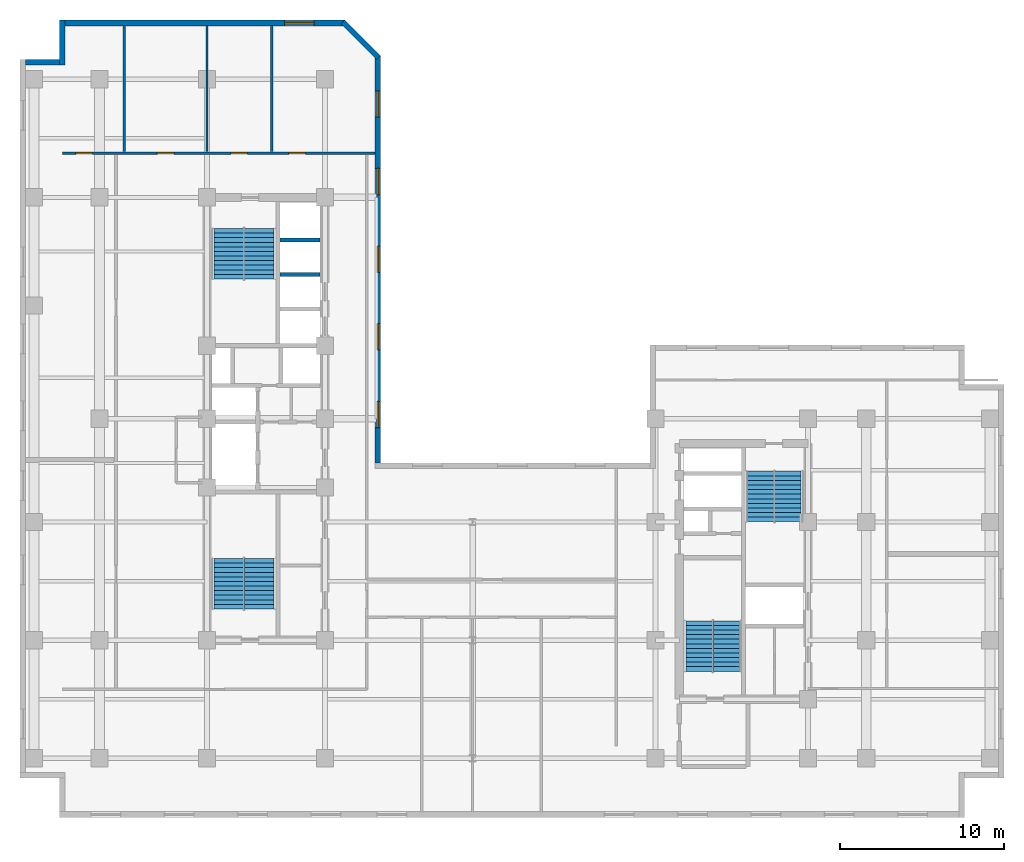
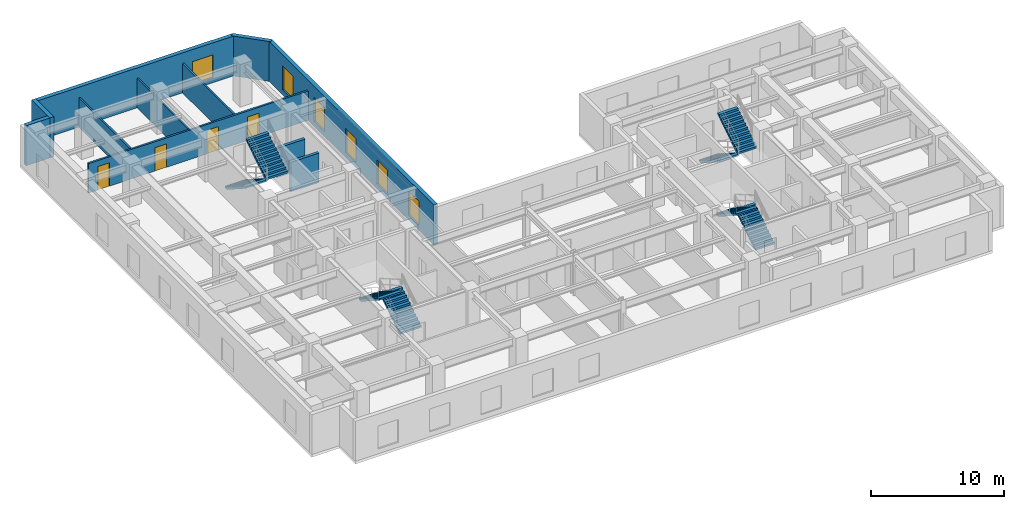
# One storey, part 6 of 9: 11 walls, 8 stair flights, 6 windows, 4 doors, 10 openings, 4 elements without a shape of their own.
"""IFC4 building model written with IfcOpenShell, lengths in metres."""

from ifc_helpers import new_model, entity, si_unit, converted_unit, direction, frame, origin_with_axes, origin_2d_with_axis, place, context, subcontext, project, spatial, polyline, rectangle, outline, extrude, material, layer, layer_set, type_object, element, fill, aggregate, save


model = new_model("IFC4")

# Units and contexts
model_context = context("Model", 3, precision=1e-05, world=origin_with_axes(), true_north=direction((0.0, 1.0)))
body_context = subcontext(model_context, "Body", "Model", "MODEL_VIEW")
ifc_project = project(units=[si_unit("LENGTHUNIT", "METRE"), si_unit("AREAUNIT", "SQUARE_METRE"), si_unit("VOLUMEUNIT", "CUBIC_METRE"), converted_unit("PLANEANGLEUNIT", "DEGREE", entity("IfcPlaneAngleMeasure", 0.017453292519943295), si_unit("PLANEANGLEUNIT", "RADIAN"), dimensions=[0, 0, 0, 0, 0, 0, 0]), si_unit("MASSUNIT", "GRAM", prefix="KILO"), si_unit("THERMODYNAMICTEMPERATUREUNIT", "KELVIN")], contexts=[model_context])

# Site, building, storey
site_placement = place(None, origin_with_axes())
site = spatial("IfcSite", under=ifc_project, at=site_placement, CompositionType="ELEMENT")
building_placement = place(site_placement, origin_with_axes())
building = spatial("IfcBuilding", under=site, at=building_placement, Name="Varnlund Millrace Tower", CompositionType="ELEMENT")
storey_placement = place(building_placement, frame((0.0, 0.0, 140.7), z_axis=(0.0, 0.0, 1.0), x_axis=(1.0, 0.0, 0.0)))
storey = spatial("IfcBuildingStorey", under=building, at=storey_placement, Name="L34", CompositionType="ELEMENT", Elevation=140.7)

# Walls
ifc_material_1 = material(Name="Precast concrete C50/60", Category="concrete")
ifc_layer_1 = layer(ifc_material_1, 0.34, Name="Precast concrete C50/60")
ifc_layer_set_1 = layer_set([ifc_layer_1], Name="Precast concrete C50/60")
wall_type_1 = type_object("IfcWallType", Name="Type-ExtWall-Precast-Upper-340", PredefinedType="SOLIDWALL", material=ifc_layer_set_1)
wall_1_placement = place(storey_placement, frame((0.34, 46.03, 0.0), z_axis=(0.0, 0.0, 1.0), x_axis=(1.0, 0.0, 0.0)))
element("IfcWall", 1, at=wall_1_placement, inside=storey, type_object=wall_type_1, Name="Type-ExtWall-Precast-Upper-340", PredefinedType="SOLIDWALL", context=body_context, shape_type="SweptSolid", body=[
    extrude(outline(polyline([(0.0, -0.17), (2.06, -0.17), (2.06, 0.17), (0.0, 0.17), (0.0, -0.17)])), origin_with_axes(), (0.0, 0.0, 1.0), 3.66),
])
wall_2_placement = place(storey_placement, frame((2.57, 45.86, 0.0), z_axis=(0.0, 0.0, 1.0), x_axis=(0.0, 1.0, 0.0)))
element("IfcWall", 2, at=wall_2_placement, inside=storey, type_object=wall_type_1, Name="Type-ExtWall-Precast-Upper-340", PredefinedType="SOLIDWALL", context=body_context, shape_type="SweptSolid", body=[
    extrude(outline(polyline([(0.0, -0.17), (2.74, -0.17), (2.74, 0.17), (0.0, 0.17), (0.0, -0.17)])), origin_with_axes(), (0.0, 0.0, 1.0), 3.66),
])

# Wall, opening, window
wall_3_placement = place(storey_placement, frame((2.74, 48.43, 0.0), z_axis=(0.0, 0.0, 1.0), x_axis=(1.0, 0.0, 0.0)))
wall_3 = element("IfcWall", 3, at=wall_3_placement, inside=storey, type_object=wall_type_1, Name="Type-ExtWall-Precast-Upper-340", PredefinedType="SOLIDWALL", context=body_context, shape_type="SweptSolid", body=[
    extrude(outline(polyline([(0.0, -0.17), (17.089, -0.17), (17.089, 0.17), (0.0, 0.17), (0.0, -0.17)])), origin_with_axes(), (0.0, 0.0, 1.0), 3.66),
])
opening_1_placement = place(wall_3_placement, frame((14.291, 0.0, 0.45), z_axis=(0.0, 0.0, 1.0), x_axis=(1.0, 0.0, 0.0)))
opening_1 = element("IfcOpeningElement", 4, at=opening_1_placement, cuts=wall_3, Name="Opening L34:WN-25", PredefinedType="OPENING", context=body_context, shape_type="SweptSolid", body=[
    extrude(rectangle(XDim=1.8, YDim=0.36, at=origin_2d_with_axis()), origin_with_axes(), (0.0, 0.0, 1.0), 2.1),
])
ifc_material_2 = material(Name="Argon low-e triple glazing in thermally broken bronze frame", Category="glass")
window_type_1 = type_object("IfcWindowType", Name="Type-Window-Punched-1800X2100", PartitioningType="SINGLE_PANEL", PredefinedType="WINDOW", material=ifc_material_2)
window_1_placement = place(wall_3_placement, frame((14.291, 0.0, 0.45), z_axis=(0.0, 0.0, 1.0), x_axis=(1.0, 0.0, 0.0)))
window_1 = element("IfcWindow", 5, at=window_1_placement, inside=storey, type_object=window_type_1, Name="Type-Window-Punched-1800X2100", OverallHeight=2.1, OverallWidth=1.8, PredefinedType="WINDOW", context=body_context, shape_type="SweptSolid", body=[
    extrude(rectangle(XDim=1.8, YDim=0.09, at=origin_2d_with_axis()), origin_with_axes(), (0.0, 0.0, 1.0), 2.1),
])
fill(opening_1, window_1)

# Wall
wall_4_placement = place(storey_placement, frame((19.695, 48.494, 0.0), z_axis=(0.0, 0.0, 1.0), x_axis=(0.707107, -0.707107, 0.0)))
element("IfcWall", 6, at=wall_4_placement, inside=storey, type_object=wall_type_1, Name="Type-ExtWall-Precast-Upper-340", PredefinedType="SOLIDWALL", context=body_context, shape_type="SweptSolid", body=[
    extrude(outline(polyline([(0.0, -0.17), (3.0745, -0.17), (3.0745, 0.17), (0.0, 0.17), (0.0, -0.17)])), origin_with_axes(), (0.0, 0.0, 1.0), 3.66),
])

# Wall, openings, windows
wall_5_placement = place(storey_placement, frame((21.819, 46.46, 0.0), z_axis=(0.0, 0.0, 1.0), x_axis=(0.0, -1.0, 0.0)))
wall_5 = element("IfcWall", 7, at=wall_5_placement, inside=storey, type_object=wall_type_1, Name="Type-ExtWall-Precast-Upper-340", PredefinedType="SOLIDWALL", context=body_context, shape_type="SweptSolid", body=[
    extrude(outline(polyline([(0.0, -0.17), (24.86, -0.17), (24.86, 0.17), (0.0, 0.17), (0.0, -0.17)])), origin_with_axes(), (0.0, 0.0, 1.0), 3.66),
])
opening_2_placement = place(wall_5_placement, frame((2.966, 0.0, 0.45), z_axis=(0.0, 0.0, 1.0), x_axis=(1.0, 0.0, 0.0)))
opening_2 = element("IfcOpeningElement", 8, at=opening_2_placement, cuts=wall_5, Name="Opening L34:WN-26", PredefinedType="OPENING", context=body_context, shape_type="SweptSolid", body=[
    extrude(rectangle(XDim=1.6, YDim=0.36, at=origin_2d_with_axis()), origin_with_axes(), (0.0, 0.0, 1.0), 2.2),
])
opening_3_placement = place(wall_5_placement, frame((7.698, 0.0, 0.45), z_axis=(0.0, 0.0, 1.0), x_axis=(1.0, 0.0, 0.0)))
opening_3 = element("IfcOpeningElement", 9, at=opening_3_placement, cuts=wall_5, Name="Opening L34:WN-27", PredefinedType="OPENING", context=body_context, shape_type="SweptSolid", body=[
    extrude(rectangle(XDim=1.6, YDim=0.36, at=origin_2d_with_axis()), origin_with_axes(), (0.0, 0.0, 1.0), 2.2),
])
opening_4_placement = place(wall_5_placement, frame((12.43, 0.0, 0.45), z_axis=(0.0, 0.0, 1.0), x_axis=(1.0, 0.0, 0.0)))
opening_4 = element("IfcOpeningElement", 10, at=opening_4_placement, cuts=wall_5, Name="Opening L34:WN-28", PredefinedType="OPENING", context=body_context, shape_type="SweptSolid", body=[
    extrude(rectangle(XDim=1.6, YDim=0.36, at=origin_2d_with_axis()), origin_with_axes(), (0.0, 0.0, 1.0), 2.2),
])
opening_5_placement = place(wall_5_placement, frame((17.162, 0.0, 0.45), z_axis=(0.0, 0.0, 1.0), x_axis=(1.0, 0.0, 0.0)))
opening_5 = element("IfcOpeningElement", 11, at=opening_5_placement, cuts=wall_5, Name="Opening L34:WN-29", PredefinedType="OPENING", context=body_context, shape_type="SweptSolid", body=[
    extrude(rectangle(XDim=1.6, YDim=0.36, at=origin_2d_with_axis()), origin_with_axes(), (0.0, 0.0, 1.0), 2.2),
])
opening_6_placement = place(wall_5_placement, frame((21.894, 0.0, 0.45), z_axis=(0.0, 0.0, 1.0), x_axis=(1.0, 0.0, 0.0)))
opening_6 = element("IfcOpeningElement", 12, at=opening_6_placement, cuts=wall_5, Name="Opening L34:WN-30", PredefinedType="OPENING", context=body_context, shape_type="SweptSolid", body=[
    extrude(rectangle(XDim=1.6, YDim=0.36, at=origin_2d_with_axis()), origin_with_axes(), (0.0, 0.0, 1.0), 2.2),
])
window_type_2 = type_object("IfcWindowType", Name="Type-Window-Slot-1600X2200", PartitioningType="SINGLE_PANEL", PredefinedType="WINDOW", material=ifc_material_2)
window_2_placement = place(wall_5_placement, frame((2.966, 0.0, 0.45), z_axis=(0.0, 0.0, 1.0), x_axis=(1.0, 0.0, 0.0)))
window_2 = element("IfcWindow", 13, at=window_2_placement, inside=storey, type_object=window_type_2, Name="Type-Window-Slot-1600X2200", OverallHeight=2.2, OverallWidth=1.6, PredefinedType="WINDOW", context=body_context, shape_type="SweptSolid", body=[
    extrude(rectangle(XDim=1.6, YDim=0.09, at=origin_2d_with_axis()), origin_with_axes(), (0.0, 0.0, 1.0), 2.2),
])
fill(opening_2, window_2)
window_3_placement = place(wall_5_placement, frame((7.698, 0.0, 0.45), z_axis=(0.0, 0.0, 1.0), x_axis=(1.0, 0.0, 0.0)))
window_3 = element("IfcWindow", 14, at=window_3_placement, inside=storey, type_object=window_type_2, Name="Type-Window-Slot-1600X2200", OverallHeight=2.2, OverallWidth=1.6, PredefinedType="WINDOW", context=body_context, shape_type="SweptSolid", body=[
    extrude(rectangle(XDim=1.6, YDim=0.09, at=origin_2d_with_axis()), origin_with_axes(), (0.0, 0.0, 1.0), 2.2),
])
fill(opening_3, window_3)
window_4_placement = place(wall_5_placement, frame((12.43, 0.0, 0.45), z_axis=(0.0, 0.0, 1.0), x_axis=(1.0, 0.0, 0.0)))
window_4 = element("IfcWindow", 15, at=window_4_placement, inside=storey, type_object=window_type_2, Name="Type-Window-Slot-1600X2200", OverallHeight=2.2, OverallWidth=1.6, PredefinedType="WINDOW", context=body_context, shape_type="SweptSolid", body=[
    extrude(rectangle(XDim=1.6, YDim=0.09, at=origin_2d_with_axis()), origin_with_axes(), (0.0, 0.0, 1.0), 2.2),
])
fill(opening_4, window_4)
window_5_placement = place(wall_5_placement, frame((17.162, 0.0, 0.45), z_axis=(0.0, 0.0, 1.0), x_axis=(1.0, 0.0, 0.0)))
window_5 = element("IfcWindow", 16, at=window_5_placement, inside=storey, type_object=window_type_2, Name="Type-Window-Slot-1600X2200", OverallHeight=2.2, OverallWidth=1.6, PredefinedType="WINDOW", context=body_context, shape_type="SweptSolid", body=[
    extrude(rectangle(XDim=1.6, YDim=0.09, at=origin_2d_with_axis()), origin_with_axes(), (0.0, 0.0, 1.0), 2.2),
])
fill(opening_5, window_5)
window_6_placement = place(wall_5_placement, frame((21.894, 0.0, 0.45), z_axis=(0.0, 0.0, 1.0), x_axis=(1.0, 0.0, 0.0)))
window_6 = element("IfcWindow", 17, at=window_6_placement, inside=storey, type_object=window_type_2, Name="Type-Window-Slot-1600X2200", OverallHeight=2.2, OverallWidth=1.6, PredefinedType="WINDOW", context=body_context, shape_type="SweptSolid", body=[
    extrude(rectangle(XDim=1.6, YDim=0.09, at=origin_2d_with_axis()), origin_with_axes(), (0.0, 0.0, 1.0), 2.2),
])
fill(opening_6, window_6)

# Wall, openings, doors
ifc_material_3 = material(Name="Fire-rated gypsum board on cold-formed steel framing", Category="steel")
ifc_layer_2 = layer(ifc_material_3, 0.16, Name="Fire-rated gypsum board on cold-formed steel framing")
ifc_layer_set_2 = layer_set([ifc_layer_2], Name="Fire-rated gypsum board on cold-formed steel framing")
wall_type_2 = type_object("IfcWallType", Name="Type-Partition-Corridor-160", PredefinedType="PARTITIONING", material=ifc_layer_set_2)
wall_6_placement = place(storey_placement, frame((2.6, 40.5, 0.0), z_axis=(0.0, 0.0, 1.0), x_axis=(1.0, 0.0, 0.0)))
wall_6 = element("IfcWall", 18, at=wall_6_placement, inside=storey, type_object=wall_type_2, Name="Type-Partition-Corridor-160", PredefinedType="PARTITIONING", context=body_context, shape_type="SweptSolid", body=[
    extrude(outline(polyline([(0.0, -0.08), (19.054, -0.08), (19.054, 0.08), (0.0, 0.08), (0.0, -0.08)])), origin_with_axes(), (0.0, 0.0, 1.0), 2.7),
])
opening_7_placement = place(wall_6_placement, frame((1.314, 0.0, 0.0), z_axis=(0.0, 0.0, 1.0), x_axis=(1.0, 0.0, 0.0)))
opening_7 = element("IfcOpeningElement", 19, at=opening_7_placement, cuts=wall_6, Name="Opening L34:DR-WAN-01", PredefinedType="OPENING", context=body_context, shape_type="SweptSolid", body=[
    extrude(rectangle(XDim=1.0, YDim=0.18, at=origin_2d_with_axis()), origin_with_axes(), (0.0, 0.0, 1.0), 2.15),
])
opening_8_placement = place(wall_6_placement, frame((6.279, 0.0, 0.0), z_axis=(0.0, 0.0, 1.0), x_axis=(1.0, 0.0, 0.0)))
opening_8 = element("IfcOpeningElement", 20, at=opening_8_placement, cuts=wall_6, Name="Opening L34:DR-WAN-02", PredefinedType="OPENING", context=body_context, shape_type="SweptSolid", body=[
    extrude(rectangle(XDim=1.0, YDim=0.18, at=origin_2d_with_axis()), origin_with_axes(), (0.0, 0.0, 1.0), 2.15),
])
opening_9_placement = place(wall_6_placement, frame((10.7685, 0.0, 0.0), z_axis=(0.0, 0.0, 1.0), x_axis=(1.0, 0.0, 0.0)))
opening_9 = element("IfcOpeningElement", 21, at=opening_9_placement, cuts=wall_6, Name="Opening L34:DR-WAN-03", PredefinedType="OPENING", context=body_context, shape_type="SweptSolid", body=[
    extrude(rectangle(XDim=1.0, YDim=0.18, at=origin_2d_with_axis()), origin_with_axes(), (0.0, 0.0, 1.0), 2.15),
])
opening_10_placement = place(wall_6_placement, frame((14.298, 0.0, 0.0), z_axis=(0.0, 0.0, 1.0), x_axis=(1.0, 0.0, 0.0)))
opening_10 = element("IfcOpeningElement", 22, at=opening_10_placement, cuts=wall_6, Name="Opening L34:DR-WAN-04", PredefinedType="OPENING", context=body_context, shape_type="SweptSolid", body=[
    extrude(rectangle(XDim=1.0, YDim=0.18, at=origin_2d_with_axis()), origin_with_axes(), (0.0, 0.0, 1.0), 2.15),
])
ifc_material_4 = material(Name="Solid-core white oak and bronze frame door")
door_type = type_object("IfcDoorType", Name="Type-IntDoor-Office-1000X2150", OperationType="NOTDEFINED", PredefinedType="DOOR", material=ifc_material_4)
door_1_placement = place(wall_6_placement, frame((1.314, 0.0, 0.0), z_axis=(0.0, 0.0, 1.0), x_axis=(1.0, 0.0, 0.0)))
door_1 = element("IfcDoor", 23, at=door_1_placement, inside=storey, type_object=door_type, Name="Type-IntDoor-Office-1000X2150", OperationType="SINGLE_SWING_LEFT", OverallHeight=2.15, OverallWidth=1.0, PredefinedType="DOOR", context=body_context, shape_type="SweptSolid", body=[
    extrude(rectangle(XDim=1.0, YDim=0.09, at=origin_2d_with_axis()), origin_with_axes(), (0.0, 0.0, 1.0), 2.15),
])
fill(opening_7, door_1)
door_2_placement = place(wall_6_placement, frame((6.279, 0.0, 0.0), z_axis=(0.0, 0.0, 1.0), x_axis=(1.0, 0.0, 0.0)))
door_2 = element("IfcDoor", 24, at=door_2_placement, inside=storey, type_object=door_type, Name="Type-IntDoor-Office-1000X2150", OperationType="SINGLE_SWING_RIGHT", OverallHeight=2.15, OverallWidth=1.0, PredefinedType="DOOR", context=body_context, shape_type="SweptSolid", body=[
    extrude(rectangle(XDim=1.0, YDim=0.09, at=origin_2d_with_axis()), origin_with_axes(), (0.0, 0.0, 1.0), 2.15),
])
fill(opening_8, door_2)
door_3_placement = place(wall_6_placement, frame((10.7685, 0.0, 0.0), z_axis=(0.0, 0.0, 1.0), x_axis=(1.0, 0.0, 0.0)))
door_3 = element("IfcDoor", 25, at=door_3_placement, inside=storey, type_object=door_type, Name="Type-IntDoor-Office-1000X2150", OperationType="SINGLE_SWING_LEFT", OverallHeight=2.15, OverallWidth=1.0, PredefinedType="DOOR", context=body_context, shape_type="SweptSolid", body=[
    extrude(rectangle(XDim=1.0, YDim=0.09, at=origin_2d_with_axis()), origin_with_axes(), (0.0, 0.0, 1.0), 2.15),
])
fill(opening_9, door_3)
door_4_placement = place(wall_6_placement, frame((14.298, 0.0, 0.0), z_axis=(0.0, 0.0, 1.0), x_axis=(1.0, 0.0, 0.0)))
door_4 = element("IfcDoor", 26, at=door_4_placement, inside=storey, type_object=door_type, Name="Type-IntDoor-Office-1000X2150", OperationType="SINGLE_SWING_RIGHT", OverallHeight=2.15, OverallWidth=1.0, PredefinedType="DOOR", context=body_context, shape_type="SweptSolid", body=[
    extrude(rectangle(XDim=1.0, YDim=0.09, at=origin_2d_with_axis()), origin_with_axes(), (0.0, 0.0, 1.0), 2.15),
])
fill(opening_10, door_4)

# Walls
ifc_material_5 = material(Name="Acoustic STC-50 gypsum board partition", Category="gypsum")
ifc_layer_3 = layer(ifc_material_5, 0.15, Name="Acoustic STC-50 gypsum board partition")
ifc_layer_set_3 = layer_set([ifc_layer_3], Name="Acoustic STC-50 gypsum board partition")
wall_type_3 = type_object("IfcWallType", Name="Type-Partition-Demising-150", PredefinedType="PARTITIONING", material=ifc_layer_set_3)
for number, where, z_axis, x_axis, name in (
    (27, (6.358, 40.6, 0.0), (0.0, 0.0, 1.0), (0.0, 1.0, 0.0), "Type-Partition-Demising-150"),
    (28, (15.337, 40.6, 0.0), (0.0, 0.0, 1.0), (0.0, 1.0, 0.0), "Type-Partition-Demising-150"),
):
    element("IfcWall", number, at=place(storey_placement, frame(where, z_axis=z_axis, x_axis=x_axis)), inside=storey, type_object=wall_type_3, Name=name, PredefinedType="PARTITIONING", context=body_context, shape_type="SweptSolid", body=[
        extrude(outline(polyline([(0.0, -0.075), (7.665, -0.075), (7.665, 0.075), (0.0, 0.075), (0.0, -0.075)])), origin_with_axes(), (0.0, 0.0, 1.0), 2.7),
    ])
ifc_material_6 = material(Name="Gypsum board tenant partition", Category="gypsum")
ifc_layer_4 = layer(ifc_material_6, 0.125, Name="Gypsum board tenant partition")
ifc_layer_set_4 = layer_set([ifc_layer_4], Name="Gypsum board tenant partition")
wall_type_4 = type_object("IfcWallType", Name="Type-Partition-Tenant-125", PredefinedType="PARTITIONING", material=ifc_layer_set_4)
wall_7_placement = place(storey_placement, frame((11.4, 40.6, 0.0), z_axis=(0.0, 0.0, 1.0), x_axis=(0.0, 1.0, 0.0)))
element("IfcWall", 29, at=wall_7_placement, inside=storey, type_object=wall_type_4, Name="Type-Partition-Tenant-125", PredefinedType="PARTITIONING", context=body_context, shape_type="SweptSolid", body=[
    extrude(outline(polyline([(0.0, -0.0625), (7.665, -0.0625), (7.665, 0.0625), (0.0, 0.0625), (0.0, -0.0625)])), origin_with_axes(), (0.0, 0.0, 1.0), 2.7),
])
ifc_material_7 = material(Name="Concrete C60/75", Category="concrete")
ifc_layer_5 = layer(ifc_material_7, 0.25, Name="Concrete C60/75")
ifc_layer_set_5 = layer_set([ifc_layer_5], Name="Concrete C60/75")
wall_type_5 = type_object("IfcWallType", Name="Type-ShaftWall-Fire-250", PredefinedType="SOLIDWALL", material=ifc_layer_set_5)
for number, where, z_axis, x_axis, name in (
    (30, (15.84, 33.1, 0.0), (0.0, 0.0, 1.0), (1.0, 0.0, 0.0), "Type-ShaftWall-Fire-250"),
    (31, (15.84, 35.2, 0.0), (0.0, 0.0, 1.0), (1.0, 0.0, 0.0), "Type-ShaftWall-Fire-250"),
):
    element("IfcWall", number, at=place(storey_placement, frame(where, z_axis=z_axis, x_axis=x_axis)), inside=storey, type_object=wall_type_5, Name=name, PredefinedType="SOLIDWALL", context=body_context, shape_type="SweptSolid", body=[
        extrude(outline(polyline([(0.0, -0.125), (2.46, -0.125), (2.46, 0.125), (0.0, 0.125), (0.0, -0.125)])), origin_with_axes(), (0.0, 0.0, 1.0), 2.7),
    ])

# Stair, stair flights
ifc_material_8 = material(Name="Concrete C50/60", Category="concrete")
stair_type_1 = type_object("IfcStairType", Name="Type-Stair-Dogleg-165-390", PredefinedType="HALF_TURN_STAIR", material=ifc_material_8)
stair_1_placement = place(storey_placement, origin_with_axes())
stair_1 = element("IfcStair", 32, at=stair_1_placement, inside=storey, type_object=stair_type_1, Name="Type-Stair-Dogleg-165-390", PredefinedType="HALF_TURN_STAIR")
stair_flight_type_1 = type_object("IfcStairFlightType", Name="Type-Dogleg-Run-165-390", PredefinedType="STRAIGHT", material=ifc_material_1)
stair_flight_1_placement = place(storey_placement, frame((42.225, 8.9, 0.0), z_axis=(1.0, 0.0, 0.0), x_axis=(0.0, 1.0, 0.0)))
stair_flight_1 = element("IfcStairFlight", 33, at=stair_flight_1_placement, type_object=stair_flight_type_1, Name="ST-B1 flight 1", NumberOfRisers=11, NumberOfTreads=11, PredefinedType="STRAIGHT", RiserHeight=0.177273, TreadLength=0.28, context=body_context, shape_type="SweptSolid", body=[
    extrude(outline(polyline([(0.0, 0.0), (0.0, 0.177273), (0.28, 0.177273), (0.28, 0.354545), (0.56, 0.354545), (0.56, 0.531818), (0.84, 0.531818), (0.84, 0.709091), (1.12, 0.709091), (1.12, 0.886364), (1.4, 0.886364), (1.4, 1.063636), (1.68, 1.063636), (1.68, 1.240909), (1.96, 1.240909), (1.96, 1.418182), (2.24, 1.418182), (2.24, 1.595454), (2.52, 1.595454), (2.52, 1.772727), (2.8, 1.772727), (2.8, 1.95), (3.08, 1.95), (3.08, 1.8), (0.28, 0.0), (0.0, 0.0)])), origin_with_axes(), (0.0, 0.0, 1.0), 1.65),
])
stair_flight_2_placement = place(storey_placement, frame((42.275, 11.98, 1.95), z_axis=(-1.0, 0.0, 0.0), x_axis=(0.0, -1.0, 0.0)))
stair_flight_2 = element("IfcStairFlight", 34, at=stair_flight_2_placement, type_object=stair_flight_type_1, Name="ST-B1 flight 2", NumberOfRisers=11, NumberOfTreads=11, PredefinedType="STRAIGHT", RiserHeight=0.177273, TreadLength=0.28, context=body_context, shape_type="SweptSolid", body=[
    extrude(outline(polyline([(0.0, 0.0), (0.0, 0.177273), (0.28, 0.177273), (0.28, 0.354545), (0.56, 0.354545), (0.56, 0.531818), (0.84, 0.531818), (0.84, 0.709091), (1.12, 0.709091), (1.12, 0.886364), (1.4, 0.886364), (1.4, 1.063636), (1.68, 1.063636), (1.68, 1.240909), (1.96, 1.240909), (1.96, 1.418182), (2.24, 1.418182), (2.24, 1.595454), (2.52, 1.595454), (2.52, 1.772727), (2.8, 1.772727), (2.8, 1.95), (3.08, 1.95), (3.08, 1.8), (0.28, 0.0), (0.0, 0.0)])), origin_with_axes(), (0.0, 0.0, 1.0), 1.65),
])
aggregate(stair_1, [stair_flight_1, stair_flight_2])

stair_2_placement = place(storey_placement, origin_with_axes())
stair_2 = element("IfcStair", 35, at=stair_2_placement, inside=storey, type_object=stair_type_1, Name="Type-Stair-Dogleg-165-390", PredefinedType="HALF_TURN_STAIR")
stair_flight_3_placement = place(storey_placement, frame((46.025, 21.1, 0.0), z_axis=(-1.0, 0.0, 0.0), x_axis=(0.0, -1.0, 0.0)))
stair_flight_3 = element("IfcStairFlight", 36, at=stair_flight_3_placement, type_object=stair_flight_type_1, Name="ST-B2 flight 1", NumberOfRisers=11, NumberOfTreads=11, PredefinedType="STRAIGHT", RiserHeight=0.177273, TreadLength=0.28, context=body_context, shape_type="SweptSolid", body=[
    extrude(outline(polyline([(0.0, 0.0), (0.0, 0.177273), (0.28, 0.177273), (0.28, 0.354545), (0.56, 0.354545), (0.56, 0.531818), (0.84, 0.531818), (0.84, 0.709091), (1.12, 0.709091), (1.12, 0.886364), (1.4, 0.886364), (1.4, 1.063636), (1.68, 1.063636), (1.68, 1.240909), (1.96, 1.240909), (1.96, 1.418182), (2.24, 1.418182), (2.24, 1.595454), (2.52, 1.595454), (2.52, 1.772727), (2.8, 1.772727), (2.8, 1.95), (3.08, 1.95), (3.08, 1.8), (0.28, 0.0), (0.0, 0.0)])), origin_with_axes(), (0.0, 0.0, 1.0), 1.65),
])
stair_flight_4_placement = place(storey_placement, frame((45.975, 18.02, 1.95), z_axis=(1.0, 0.0, 0.0), x_axis=(0.0, 1.0, 0.0)))
stair_flight_4 = element("IfcStairFlight", 37, at=stair_flight_4_placement, type_object=stair_flight_type_1, Name="ST-B2 flight 2", NumberOfRisers=11, NumberOfTreads=11, PredefinedType="STRAIGHT", RiserHeight=0.177273, TreadLength=0.28, context=body_context, shape_type="SweptSolid", body=[
    extrude(outline(polyline([(0.0, 0.0), (0.0, 0.177273), (0.28, 0.177273), (0.28, 0.354545), (0.56, 0.354545), (0.56, 0.531818), (0.84, 0.531818), (0.84, 0.709091), (1.12, 0.709091), (1.12, 0.886364), (1.4, 0.886364), (1.4, 1.063636), (1.68, 1.063636), (1.68, 1.240909), (1.96, 1.240909), (1.96, 1.418182), (2.24, 1.418182), (2.24, 1.595454), (2.52, 1.595454), (2.52, 1.772727), (2.8, 1.772727), (2.8, 1.95), (3.08, 1.95), (3.08, 1.8), (0.28, 0.0), (0.0, 0.0)])), origin_with_axes(), (0.0, 0.0, 1.0), 1.65),
])
aggregate(stair_2, [stair_flight_3, stair_flight_4])

stair_type_2 = type_object("IfcStairType", Name="Type-Stair-Dogleg-185-390", PredefinedType="HALF_TURN_STAIR", material=ifc_material_8)
stair_3_placement = place(storey_placement, origin_with_axes())
stair_3 = element("IfcStair", 38, at=stair_3_placement, inside=storey, type_object=stair_type_2, Name="Type-Stair-Dogleg-185-390", PredefinedType="HALF_TURN_STAIR")
stair_flight_type_2 = type_object("IfcStairFlightType", Name="Type-Dogleg-Run-185-390", PredefinedType="STRAIGHT", material=ifc_material_1)
stair_flight_5_placement = place(storey_placement, frame((13.625, 12.7, 0.0), z_axis=(1.0, 0.0, 0.0), x_axis=(0.0, 1.0, 0.0)))
stair_flight_5 = element("IfcStairFlight", 39, at=stair_flight_5_placement, type_object=stair_flight_type_2, Name="ST-A1 flight 1", NumberOfRisers=11, NumberOfTreads=11, PredefinedType="STRAIGHT", RiserHeight=0.177273, TreadLength=0.28, context=body_context, shape_type="SweptSolid", body=[
    extrude(outline(polyline([(0.0, 0.0), (0.0, 0.177273), (0.28, 0.177273), (0.28, 0.354545), (0.56, 0.354545), (0.56, 0.531818), (0.84, 0.531818), (0.84, 0.709091), (1.12, 0.709091), (1.12, 0.886364), (1.4, 0.886364), (1.4, 1.063636), (1.68, 1.063636), (1.68, 1.240909), (1.96, 1.240909), (1.96, 1.418182), (2.24, 1.418182), (2.24, 1.595454), (2.52, 1.595454), (2.52, 1.772727), (2.8, 1.772727), (2.8, 1.95), (3.08, 1.95), (3.08, 1.8), (0.28, 0.0), (0.0, 0.0)])), origin_with_axes(), (0.0, 0.0, 1.0), 1.85),
])
stair_flight_6_placement = place(storey_placement, frame((13.675, 15.78, 1.95), z_axis=(-1.0, 0.0, 0.0), x_axis=(0.0, -1.0, 0.0)))
stair_flight_6 = element("IfcStairFlight", 40, at=stair_flight_6_placement, type_object=stair_flight_type_2, Name="ST-A1 flight 2", NumberOfRisers=11, NumberOfTreads=11, PredefinedType="STRAIGHT", RiserHeight=0.177273, TreadLength=0.28, context=body_context, shape_type="SweptSolid", body=[
    extrude(outline(polyline([(0.0, 0.0), (0.0, 0.177273), (0.28, 0.177273), (0.28, 0.354545), (0.56, 0.354545), (0.56, 0.531818), (0.84, 0.531818), (0.84, 0.709091), (1.12, 0.709091), (1.12, 0.886364), (1.4, 0.886364), (1.4, 1.063636), (1.68, 1.063636), (1.68, 1.240909), (1.96, 1.240909), (1.96, 1.418182), (2.24, 1.418182), (2.24, 1.595454), (2.52, 1.595454), (2.52, 1.772727), (2.8, 1.772727), (2.8, 1.95), (3.08, 1.95), (3.08, 1.8), (0.28, 0.0), (0.0, 0.0)])), origin_with_axes(), (0.0, 0.0, 1.0), 1.85),
])
aggregate(stair_3, [stair_flight_5, stair_flight_6])

stair_4_placement = place(storey_placement, origin_with_axes())
stair_4 = element("IfcStair", 41, at=stair_4_placement, inside=storey, type_object=stair_type_2, Name="Type-Stair-Dogleg-185-390", PredefinedType="HALF_TURN_STAIR")
stair_flight_7_placement = place(storey_placement, frame((13.675, 35.9, 0.0), z_axis=(-1.0, 0.0, 0.0), x_axis=(0.0, -1.0, 0.0)))
stair_flight_7 = element("IfcStairFlight", 42, at=stair_flight_7_placement, type_object=stair_flight_type_2, Name="ST-A2 flight 1", NumberOfRisers=11, NumberOfTreads=11, PredefinedType="STRAIGHT", RiserHeight=0.177273, TreadLength=0.28, context=body_context, shape_type="SweptSolid", body=[
    extrude(outline(polyline([(0.0, 0.0), (0.0, 0.177273), (0.28, 0.177273), (0.28, 0.354545), (0.56, 0.354545), (0.56, 0.531818), (0.84, 0.531818), (0.84, 0.709091), (1.12, 0.709091), (1.12, 0.886364), (1.4, 0.886364), (1.4, 1.063636), (1.68, 1.063636), (1.68, 1.240909), (1.96, 1.240909), (1.96, 1.418182), (2.24, 1.418182), (2.24, 1.595454), (2.52, 1.595454), (2.52, 1.772727), (2.8, 1.772727), (2.8, 1.95), (3.08, 1.95), (3.08, 1.8), (0.28, 0.0), (0.0, 0.0)])), origin_with_axes(), (0.0, 0.0, 1.0), 1.85),
])
stair_flight_8_placement = place(storey_placement, frame((13.625, 32.82, 1.95), z_axis=(1.0, 0.0, 0.0), x_axis=(0.0, 1.0, 0.0)))
stair_flight_8 = element("IfcStairFlight", 43, at=stair_flight_8_placement, type_object=stair_flight_type_2, Name="ST-A2 flight 2", NumberOfRisers=11, NumberOfTreads=11, PredefinedType="STRAIGHT", RiserHeight=0.177273, TreadLength=0.28, context=body_context, shape_type="SweptSolid", body=[
    extrude(outline(polyline([(0.0, 0.0), (0.0, 0.177273), (0.28, 0.177273), (0.28, 0.354545), (0.56, 0.354545), (0.56, 0.531818), (0.84, 0.531818), (0.84, 0.709091), (1.12, 0.709091), (1.12, 0.886364), (1.4, 0.886364), (1.4, 1.063636), (1.68, 1.063636), (1.68, 1.240909), (1.96, 1.240909), (1.96, 1.418182), (2.24, 1.418182), (2.24, 1.595454), (2.52, 1.595454), (2.52, 1.772727), (2.8, 1.772727), (2.8, 1.95), (3.08, 1.95), (3.08, 1.8), (0.28, 0.0), (0.0, 0.0)])), origin_with_axes(), (0.0, 0.0, 1.0), 1.85),
])
aggregate(stair_4, [stair_flight_7, stair_flight_8])

save(model, "model.ifc")
